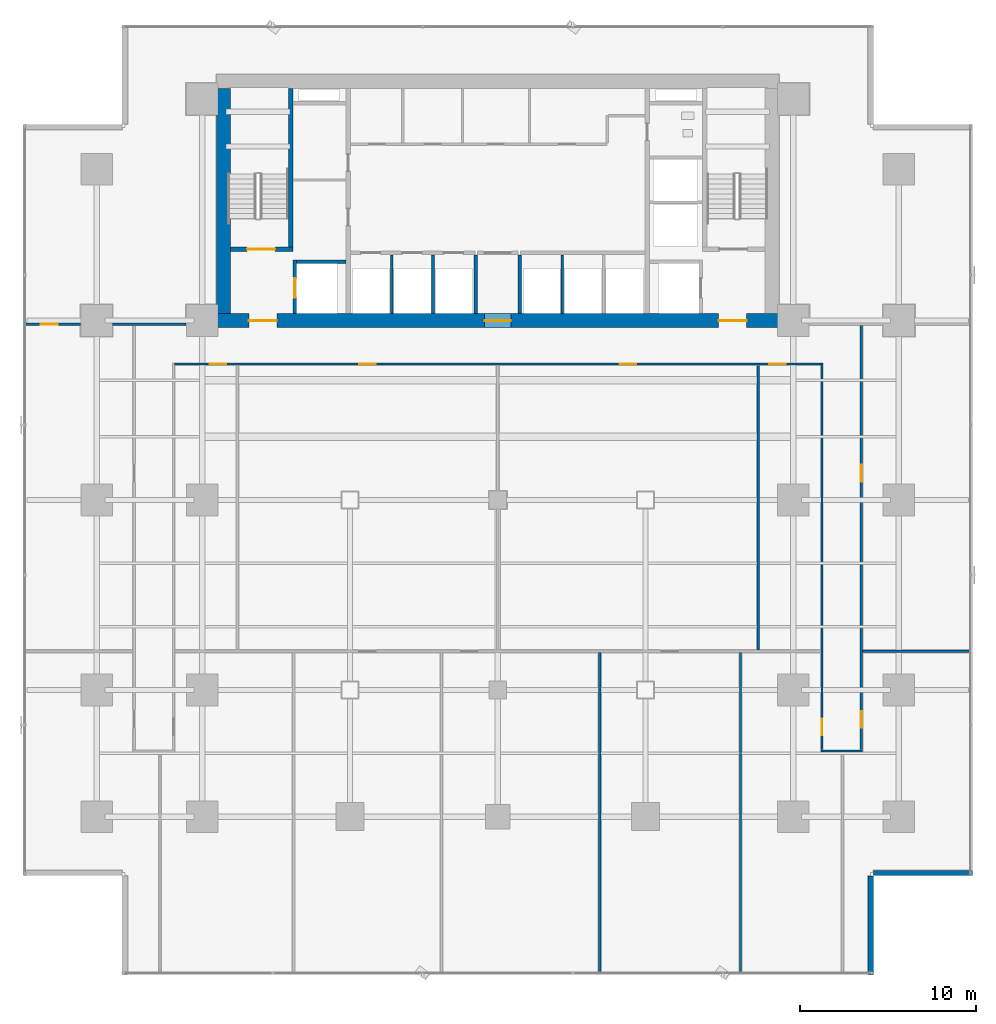
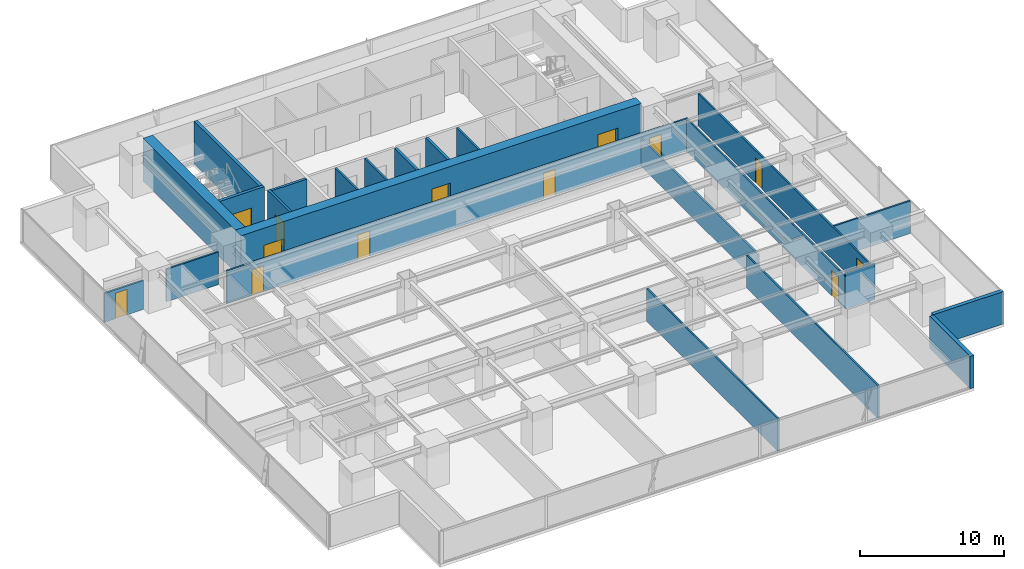
# One storey, part 25 of 34: 23 walls, 13 doors, 13 openings.
"""IFC4 building model written with IfcOpenShell, lengths in metres."""

from ifc_helpers import new_model, si_unit, direction, frame, frame_2d, origin, place, context, subcontext, project, spatial, rectangle, extrude, source, transform, mapped, material, layer, layer_set, type_object, element, fill, save


model = new_model("IFC4")

# Units and contexts
model_context = context("Model", 3, precision=1e-05, world=origin(), true_north=direction((0.0, 1.0)))
body_context = subcontext(model_context, "Body", "Model", "MODEL_VIEW")
ifc_project = project(units=[si_unit("LENGTHUNIT", "METRE"), si_unit("AREAUNIT", "SQUARE_METRE"), si_unit("VOLUMEUNIT", "CUBIC_METRE"), si_unit("PLANEANGLEUNIT", "RADIAN"), si_unit("MASSUNIT", "GRAM", prefix="KILO")], contexts=[model_context])

# Site, building, storey
site_placement = place(None, origin())
site = spatial("IfcSite", under=ifc_project, at=site_placement, CompositionType="ELEMENT")
building_placement = place(site_placement, origin())
building = spatial("IfcBuilding", under=site, at=building_placement, Name="Sumidabori Civic Tower", CompositionType="ELEMENT")
storey_placement = place(building_placement, frame((0.0, 0.0, 34.39990234375)))
storey = spatial("IfcBuildingStorey", under=building, at=storey_placement, Name="L08", CompositionType="ELEMENT", Elevation=34.39990234375)

# Wall, openings, doors
ifc_material_1 = material(Name="Concrete C60/75", Category="concrete")
ifc_layer_1 = layer(ifc_material_1, 0.800048828125, Name="Concrete C60/75")
ifc_layer_set_1 = layer_set([ifc_layer_1], Name="Concrete C60/75")
wall_type_1 = type_object("IfcWallType", Name="WL-CORE-800", PredefinedType="SHEAR", material=ifc_layer_set_1)
shared_shape_1 = source(origin(), body_context, "Body", "SweptSolid", [
    extrude(rectangle(XDim=32.0, YDim=0.800048828125, at=frame_2d((16.0, 0.0))), origin(), (0.0, 0.0, 1.0), 3.60009765625),
])
wall_1_placement = place(storey_placement, frame((-16.0, 10.199951171875, 0.0), z_axis=(0.0, 0.0, 1.0), x_axis=(1.0, 0.0, 0.0)))
wall_1 = element("IfcWall", 1, at=wall_1_placement, inside=storey, type_object=wall_type_1, Name="Core Shear Wall L08 S", PredefinedType="SHEAR", context=body_context, shape_type="MappedRepresentation", body=[
    mapped(shared_shape_1, transform((0.0, 0.0, 0.0), x_axis=(1.0, 0.0, 0.0), y_axis=(0.0, 1.0, 0.0), z_axis=(0.0, 0.0, 1.0), scale=1.0)),
])
opening_1_placement = place(wall_1_placement, frame((1.85009765625, 0.0, 0.0)))
opening_1 = element("IfcOpeningElement", 2, at=opening_1_placement, cuts=wall_1, Name="Opening DR-FD4", PredefinedType="OPENING", context=body_context, shape_type="SweptSolid", body=[
    extrude(rectangle(XDim=1.60009765625, YDim=2.14990234375, at=frame_2d((0.800048828125, 1.074951171875))), frame((0.0, 0.412109375, 0.0), z_axis=(0.0, -1.0, 0.0), x_axis=(1.0, 0.0, 0.0)), (0.0, 0.0, 1.0), 0.823974609375),
])
opening_2_placement = place(wall_1_placement, frame((28.550048828125, 0.0, 0.0)))
opening_2 = element("IfcOpeningElement", 3, at=opening_2_placement, cuts=wall_1, Name="Opening DR-FD4", PredefinedType="OPENING", context=body_context, shape_type="SweptSolid", body=[
    extrude(rectangle(XDim=1.60009765625, YDim=2.14990234375, at=frame_2d((0.800048828125, 1.074951171875))), frame((0.0, 0.412109375, 0.0), z_axis=(0.0, -1.0, 0.0), x_axis=(1.0, 0.0, 0.0)), (0.0, 0.0, 1.0), 0.823974609375),
])
opening_3_placement = place(wall_1_placement, frame((15.25, 0.0, 0.0)))
opening_3 = element("IfcOpeningElement", 4, at=opening_3_placement, cuts=wall_1, Name="Opening DR-FD3", PredefinedType="OPENING", context=body_context, shape_type="SweptSolid", body=[
    extrude(rectangle(XDim=1.5, YDim=2.199951171875, at=frame_2d((0.75, 1.10009765625))), frame((0.0, 0.412109375, 0.0), z_axis=(0.0, -1.0, 0.0), x_axis=(1.0, 0.0, 0.0)), (0.0, 0.0, 1.0), 0.823974609375),
])
ifc_material_2 = material(Name="Steel SN490", Category="steel")
door_type_1 = type_object("IfcDoorType", Name="DR-FD4", OperationType="DOUBLE_DOOR_SINGLE_SWING", PredefinedType="DOOR", material=ifc_material_2)
shared_shape_2 = source(origin(), body_context, "Body", "SweptSolid", [
    extrude(rectangle(XDim=1.60009765625, YDim=2.14990234375, at=frame_2d((0.800048828125, 1.074951171875))), frame((0.0, 0.02490234375, 0.0), z_axis=(0.0, -1.0, 0.0), x_axis=(1.0, 0.0, 0.0)), (0.0, 0.0, 1.0), 0.050048828125),
])
door_1_placement = place(opening_1_placement, origin())
door_1 = element("IfcDoor", 5, at=door_1_placement, inside=storey, type_object=door_type_1, Name="Door DR:L08:ELOB-W", OperationType="DOUBLE_DOOR_SINGLE_SWING", OverallHeight=2.14990234375, OverallWidth=1.60009765625, PredefinedType="DOOR", context=body_context, shape_type="MappedRepresentation", body=[
    mapped(shared_shape_2, transform((0.0, 0.0, 0.0), x_axis=(1.0, 0.0, 0.0), y_axis=(0.0, 1.0, 0.0), z_axis=(0.0, 0.0, 1.0), scale=1.0)),
])
fill(opening_1, door_1)
door_2_placement = place(opening_2_placement, origin())
door_2 = element("IfcDoor", 6, at=door_2_placement, inside=storey, type_object=door_type_1, Name="Door DR:L08:ELOB-E", OperationType="DOUBLE_DOOR_SINGLE_SWING", OverallHeight=2.14990234375, OverallWidth=1.60009765625, PredefinedType="DOOR", context=body_context, shape_type="MappedRepresentation", body=[
    mapped(shared_shape_2, transform((0.0, 0.0, 0.0), x_axis=(1.0, 0.0, 0.0), y_axis=(0.0, 1.0, 0.0), z_axis=(0.0, 0.0, 1.0), scale=1.0)),
])
fill(opening_2, door_2)
door_type_2 = type_object("IfcDoorType", Name="DR-FD-DBL", OperationType="DOUBLE_DOOR_SINGLE_SWING", PredefinedType="DOOR", material=ifc_material_2)
shared_shape_3 = source(origin(), body_context, "Body", "SweptSolid", [
    extrude(rectangle(XDim=1.5, YDim=2.199951171875, at=frame_2d((0.75, 1.10009765625))), frame((0.0, 0.02490234375, 0.0), z_axis=(0.0, -1.0, 0.0), x_axis=(1.0, 0.0, 0.0)), (0.0, 0.0, 1.0), 0.050048828125),
])
door_3_placement = place(opening_3_placement, origin())
door_3 = element("IfcDoor", 7, at=door_3_placement, inside=storey, type_object=door_type_2, Name="Door DR:L08:THROAT-OUT", OperationType="DOUBLE_DOOR_SINGLE_SWING", OverallHeight=2.199951171875, OverallWidth=1.5, PredefinedType="DOOR", context=body_context, shape_type="MappedRepresentation", body=[
    mapped(shared_shape_3, transform((0.0, 0.0, 0.0), x_axis=(1.0, 0.0, 0.0), y_axis=(0.0, 1.0, 0.0), z_axis=(0.0, 0.0, 1.0), scale=1.0)),
])
fill(opening_3, door_3)

# Wall
shared_shape_4 = source(origin(), body_context, "Body", "SweptSolid", [
    extrude(rectangle(XDim=12.7998046875, YDim=0.800048828125, at=frame_2d((6.39990234375, 0.0))), origin(), (0.0, 0.0, 1.0), 3.60009765625),
])
wall_2_placement = place(storey_placement, frame((-15.60009765625, 10.60009765625, 0.0), z_axis=(0.0, 0.0, 1.0), x_axis=(0.0, 1.0, 0.0)))
element("IfcWall", 8, at=wall_2_placement, inside=storey, type_object=wall_type_1, Name="Core Shear Wall L08 W", PredefinedType="SHEAR", context=body_context, shape_type="MappedRepresentation", body=[
    mapped(shared_shape_4, transform((0.0, 0.0, 0.0), x_axis=(1.0, 0.0, 0.0), y_axis=(0.0, 1.0, 0.0), z_axis=(0.0, 0.0, 1.0), scale=1.0)),
])

# Wall, opening, door
ifc_material_3 = material(Name="Concrete C50/60", Category="concrete")
ifc_layer_2 = layer(ifc_material_3, 0.25, Name="Concrete C50/60")
ifc_layer_set_2 = layer_set([ifc_layer_2], Name="Concrete C50/60")
wall_type_2 = type_object("IfcWallType", Name="WL-SHAFT-250", PredefinedType="SHEAR", material=ifc_layer_set_2)
shared_shape_5 = source(origin(), body_context, "Body", "SweptSolid", [
    extrude(rectangle(XDim=3.554931640625, YDim=0.25, at=frame_2d((1.77734375, 0.0))), origin(), (0.0, 0.0, 1.0), 3.60009765625),
])
wall_3_placement = place(storey_placement, frame((-15.199951171875, 14.25, 0.0), z_axis=(0.0, 0.0, 1.0), x_axis=(1.0, 0.0, 0.0)))
wall_3 = element("IfcWall", 9, at=wall_3_placement, inside=storey, type_object=wall_type_2, Name="Core Shear Wall L08 ST1-S", PredefinedType="SHEAR", context=body_context, shape_type="MappedRepresentation", body=[
    mapped(shared_shape_5, transform((0.0, 0.0, 0.0), x_axis=(1.0, 0.0, 0.0), y_axis=(0.0, 1.0, 0.0), z_axis=(0.0, 0.0, 1.0), scale=1.0)),
])
opening_4_placement = place(wall_3_placement, frame((0.949951171875, 0.0, 0.0)))
opening_4 = element("IfcOpeningElement", 10, at=opening_4_placement, cuts=wall_3, Name="Opening DR-FD4", PredefinedType="OPENING", context=body_context, shape_type="SweptSolid", body=[
    extrude(rectangle(XDim=1.60009765625, YDim=2.14990234375, at=frame_2d((0.800048828125, 1.074951171875))), frame((0.0, 0.136962890625, 0.0), z_axis=(0.0, -1.0, 0.0), x_axis=(1.0, 0.0, 0.0)), (0.0, 0.0, 1.0), 0.27392578125),
])
door_4_placement = place(opening_4_placement, origin())
door_4 = element("IfcDoor", 11, at=door_4_placement, inside=storey, type_object=door_type_1, Name="Door DR:L08:ST1", OperationType="DOUBLE_DOOR_SINGLE_SWING", OverallHeight=2.14990234375, OverallWidth=1.60009765625, PredefinedType="DOOR", context=body_context, shape_type="MappedRepresentation", body=[
    mapped(shared_shape_2, transform((0.0, 0.0, 0.0), x_axis=(1.0, 0.0, 0.0), y_axis=(0.0, 1.0, 0.0), z_axis=(0.0, 0.0, 1.0), scale=1.0)),
])
fill(opening_4, door_4)

# Wall
shared_shape_6 = source(origin(), body_context, "Body", "SweptSolid", [
    extrude(rectangle(XDim=9.02490234375, YDim=0.25, at=frame_2d((4.512451171875, 0.0))), origin(), (0.0, 0.0, 1.0), 3.60009765625),
])
wall_4_placement = place(storey_placement, frame((-11.77001953125, 14.375, 0.0), z_axis=(0.0, 0.0, 1.0), x_axis=(0.0, 1.0, 0.0)))
element("IfcWall", 12, at=wall_4_placement, inside=storey, type_object=wall_type_2, Name="Core Shear Wall L08 ST1-E", PredefinedType="SHEAR", context=body_context, shape_type="MappedRepresentation", body=[
    mapped(shared_shape_6, transform((0.0, 0.0, 0.0), x_axis=(1.0, 0.0, 0.0), y_axis=(0.0, 1.0, 0.0), z_axis=(0.0, 0.0, 1.0), scale=1.0)),
])

# Wall, opening, door
ifc_layer_3 = layer(ifc_material_3, 0.199951171875, Name="Concrete C50/60")
ifc_layer_set_3 = layer_set([ifc_layer_3], Name="Concrete C50/60")
wall_type_3 = type_object("IfcWallType", Name="WL-SHAFT-200", PredefinedType="SHEAR", material=ifc_layer_set_3)
shared_shape_7 = source(origin(), body_context, "Body", "SweptSolid", [
    extrude(rectangle(XDim=3.0498046875, YDim=0.199951171875, at=frame_2d((1.52490234375, 0.0))), origin(), (0.0, 0.0, 1.0), 3.60009765625),
])
wall_5_placement = place(storey_placement, frame((-11.550048828125, 10.60009765625, 0.0), z_axis=(0.0, 0.0, 1.0), x_axis=(0.0, 1.0, 0.0)))
wall_5 = element("IfcWall", 13, at=wall_5_placement, inside=storey, type_object=wall_type_3, Name="Core Shear Wall L08 EL1-W", PredefinedType="SHEAR", context=body_context, shape_type="MappedRepresentation", body=[
    mapped(shared_shape_7, transform((0.0, 0.0, 0.0), x_axis=(1.0, 0.0, 0.0), y_axis=(0.0, 1.0, 0.0), z_axis=(0.0, 0.0, 1.0), scale=1.0)),
])
opening_5_placement = place(wall_5_placement, frame((0.89990234375, 0.0, 0.0)))
opening_5 = element("IfcOpeningElement", 14, at=opening_5_placement, cuts=wall_5, Name="Opening LD-2", PredefinedType="OPENING", context=body_context, shape_type="SweptSolid", body=[
    extrude(rectangle(XDim=1.10009765625, YDim=2.14990234375, at=frame_2d((0.550048828125, 1.074951171875))), frame((0.0, 0.11181640625, 0.0), z_axis=(0.0, -1.0, 0.0), x_axis=(1.0, 0.0, 0.0)), (0.0, 0.0, 1.0), 0.223876953125),
])
ifc_material_4 = material(Name="Stainless Steel Hairline Finish", Category="steel")
door_type_3 = type_object("IfcDoorType", Name="DR-LD2", OperationType="DOUBLE_DOOR_SLIDING", PredefinedType="DOOR", material=ifc_material_4)
shared_shape_8 = source(origin(), body_context, "Body", "SweptSolid", [
    extrude(rectangle(XDim=1.10009765625, YDim=2.14990234375, at=frame_2d((0.550048828125, 1.074951171875))), frame((0.0, 0.02490234375, 0.0), z_axis=(0.0, -1.0, 0.0), x_axis=(1.0, 0.0, 0.0)), (0.0, 0.0, 1.0), 0.050048828125),
])
door_5_placement = place(opening_5_placement, origin())
door_5 = element("IfcDoor", 15, at=door_5_placement, inside=storey, type_object=door_type_3, Name="Door DR:L08:LD-EL1", OperationType="DOUBLE_DOOR_SLIDING", OverallHeight=2.14990234375, OverallWidth=1.10009765625, PredefinedType="DOOR", context=body_context, shape_type="MappedRepresentation", body=[
    mapped(shared_shape_8, transform((0.0, 0.0, 0.0), x_axis=(1.0, 0.0, 0.0), y_axis=(0.0, 1.0, 0.0), z_axis=(0.0, 0.0, 1.0), scale=1.0)),
])
fill(opening_5, door_5)

# Walls
shared_shape_9 = source(origin(), body_context, "Body", "SweptSolid", [
    extrude(rectangle(XDim=2.824951171875, YDim=0.199951171875, at=frame_2d((1.41259765625, 0.0))), origin(), (0.0, 0.0, 1.0), 3.60009765625),
])
wall_6_placement = place(storey_placement, frame((-11.449951171875, 13.550048828125, 0.0), z_axis=(0.0, 0.0, 1.0), x_axis=(1.0, 0.0, 0.0)))
element("IfcWall", 16, at=wall_6_placement, inside=storey, type_object=wall_type_3, Name="Core Shear Wall L08 EL1-N", PredefinedType="SHEAR", context=body_context, shape_type="MappedRepresentation", body=[
    mapped(shared_shape_9, transform((0.0, 0.0, 0.0), x_axis=(1.0, 0.0, 0.0), y_axis=(0.0, 1.0, 0.0), z_axis=(0.0, 0.0, 1.0), scale=1.0)),
])
ifc_material_5 = material(Name="Precast concrete C40/50", Category="concrete")
ifc_layer_4 = layer(ifc_material_5, 0.300048828125, Name="Precast concrete C40/50")
ifc_layer_set_4 = layer_set([ifc_layer_4], Name="Precast concrete C40/50")
wall_type_4 = type_object("IfcWallType", Name="WL-EXT-POD300", PredefinedType="STANDARD", material=ifc_layer_set_4)
shared_shape_10 = source(origin(), body_context, "Body", "SweptSolid", [
    extrude(rectangle(XDim=5.60986328125, YDim=0.300048828125, at=frame_2d((2.804931640625, 0.0))), origin(), (0.0, 0.0, 1.0), 2.739990234375),
])
for number, where, z_axis, x_axis, name in (
    (17, (21.199951171875, -26.97998046875, 0.0), (0.0, 0.0, 1.0), (0.0, 1.0, 0.0), "Notched Corner Spandrel Band L08-02"),
    (18, (21.3701171875, -21.199951171875, 0.0), (0.0, 0.0, 1.0), (1.0, 0.0, 0.0), "Notched Corner Spandrel Band L08-03"),
):
    element("IfcWall", number, at=place(storey_placement, frame(where, z_axis=z_axis, x_axis=x_axis)), inside=storey, type_object=wall_type_4, Name=name, PredefinedType="STANDARD", context=body_context, shape_type="MappedRepresentation", body=[
        mapped(shared_shape_10, transform((0.0, 0.0, 0.0), x_axis=(1.0, 0.0, 0.0), y_axis=(0.0, 1.0, 0.0), z_axis=(0.0, 0.0, 1.0), scale=1.0)),
    ])
ifc_material_6 = material(Name="Gypsum Plasterboard Fire Partition")
ifc_layer_5 = layer(ifc_material_6, 0.199951171875, Name="Gypsum Plasterboard Fire Partition")
ifc_layer_set_5 = layer_set([ifc_layer_5], Name="Gypsum Plasterboard Fire Partition")
wall_type_5 = type_object("IfcWallType", Name="WL-PART-FIRE", PredefinedType="PARTITIONING", material=ifc_layer_set_5)
shared_shape_11 = source(origin(), body_context, "Body", "SweptSolid", [
    extrude(rectangle(XDim=3.33984375, YDim=0.199951171875, at=frame_2d((1.669921875, 0.0))), origin(), (0.0, 0.0, 1.0), 3.360107421875),
])
for number, where, z_axis, x_axis, name in (
    (19, (-1.25, 10.60009765625, 0.0), (0.0, 0.0, 1.0), (0.0, 1.0, 0.0), "Interior Partition WL:L08:THROAT-W"),
    (20, (1.25, 10.60009765625, 0.0), (0.0, 0.0, 1.0), (0.0, 1.0, 0.0), "Interior Partition WL:L08:THROAT-E"),
):
    element("IfcWall", number, at=place(storey_placement, frame(where, z_axis=z_axis, x_axis=x_axis)), inside=storey, type_object=wall_type_5, Name=name, PredefinedType="PARTITIONING", context=body_context, shape_type="MappedRepresentation", body=[
        mapped(shared_shape_11, transform((0.0, 0.0, 0.0), x_axis=(1.0, 0.0, 0.0), y_axis=(0.0, 1.0, 0.0), z_axis=(0.0, 0.0, 1.0), scale=1.0)),
    ])
ifc_material_7 = material(Name="Gypsum Plasterboard Acoustic Partition")
ifc_layer_6 = layer(ifc_material_7, 0.14990234375, Name="Gypsum Plasterboard Acoustic Partition")
ifc_layer_set_6 = layer_set([ifc_layer_6], Name="Gypsum Plasterboard Acoustic Partition")
wall_type_6 = type_object("IfcWallType", Name="WL-PART-150", PredefinedType="PARTITIONING", material=ifc_layer_set_6)
shared_shape_12 = source(origin(), body_context, "Body", "SweptSolid", [
    extrude(rectangle(XDim=3.33984375, YDim=0.14990234375, at=frame_2d((1.669921875, 0.0))), origin(), (0.0, 0.0, 1.0), 3.360107421875),
])
for number, where, z_axis, x_axis, name in (
    (21, (-6.030029296875, 10.60009765625, 0.0), (0.0, 0.0, 1.0), (0.0, 1.0, 0.0), "Interior Partition WL:L08:DIV-PLL1"),
    (22, (-3.679931640625, 10.60009765625, 0.0), (0.0, 0.0, 1.0), (0.0, 1.0, 0.0), "Interior Partition WL:L08:DIV-PLL2"),
    (23, (3.669921875, 10.60009765625, 0.0), (0.0, 0.0, 1.0), (0.0, 1.0, 0.0), "Interior Partition WL:L08:DIV-PLM1"),
):
    element("IfcWall", number, at=place(storey_placement, frame(where, z_axis=z_axis, x_axis=x_axis)), inside=storey, type_object=wall_type_6, Name=name, PredefinedType="PARTITIONING", context=body_context, shape_type="MappedRepresentation", body=[
        mapped(shared_shape_12, transform((0.0, 0.0, 0.0), x_axis=(1.0, 0.0, 0.0), y_axis=(0.0, 1.0, 0.0), z_axis=(0.0, 0.0, 1.0), scale=1.0)),
    ])

# Wall, opening, door
ifc_layer_7 = layer(ifc_material_7, 0.135009765625, Name="Gypsum Plasterboard Acoustic Partition")
ifc_layer_set_7 = layer_set([ifc_layer_7], Name="Gypsum Plasterboard Acoustic Partition")
wall_type_7 = type_object("IfcWallType", Name="WL-PART-135", PredefinedType="PARTITIONING", material=ifc_layer_set_7)
shared_shape_13 = source(origin(), body_context, "Body", "SweptSolid", [
    extrude(rectangle(XDim=3.14013671875, YDim=0.135009765625, at=frame_2d((1.570068359375, 0.0))), origin(), (0.0, 0.0, 1.0), 2.43505859375),
])
wall_7_placement = place(storey_placement, frame((-26.85009765625, 10.0, 0.0), z_axis=(0.0, 0.0, 1.0), x_axis=(1.0, 0.0, 0.0)))
wall_7 = element("IfcWall", 24, at=wall_7_placement, inside=storey, type_object=wall_type_7, Name="Interior Partition WL:L08:FLK-NW-1", PredefinedType="PARTITIONING", context=body_context, shape_type="MappedRepresentation", body=[
    mapped(shared_shape_13, transform((0.0, 0.0, 0.0), x_axis=(1.0, 0.0, 0.0), y_axis=(0.0, 1.0, 0.0), z_axis=(0.0, 0.0, 1.0), scale=1.0)),
])
opening_6_placement = place(wall_7_placement, frame((0.875, 0.0, 0.0)))
opening_6 = element("IfcOpeningElement", 25, at=opening_6_placement, cuts=wall_7, Name="Opening DR-2", PredefinedType="OPENING", context=body_context, shape_type="SweptSolid", body=[
    extrude(rectangle(XDim=0.949951171875, YDim=2.14990234375, at=frame_2d((0.47509765625, 1.074951171875))), frame((0.0, 0.07958984375, 0.0), z_axis=(0.0, -1.0, 0.0), x_axis=(1.0, 0.0, 0.0)), (0.0, 0.0, 1.0), 0.158935546875),
])
ifc_material_8 = material(Name="Japanese Hinoki Timber", Category="wood")
door_type_4 = type_object("IfcDoorType", Name="DR-INT-950", OperationType="NOTDEFINED", PredefinedType="DOOR", material=ifc_material_8)
shared_shape_14 = source(origin(), body_context, "Body", "SweptSolid", [
    extrude(rectangle(XDim=0.949951171875, YDim=2.14990234375, at=frame_2d((0.47509765625, 1.074951171875))), frame((0.0, 0.02490234375, 0.0), z_axis=(0.0, -1.0, 0.0), x_axis=(1.0, 0.0, 0.0)), (0.0, 0.0, 1.0), 0.050048828125),
])
door_6_placement = place(opening_6_placement, origin())
door_6 = element("IfcDoor", 26, at=door_6_placement, inside=storey, type_object=door_type_4, Name="Door DR:L08:D11", OperationType="SINGLE_SWING_LEFT", OverallHeight=2.14990234375, OverallWidth=0.949951171875, PredefinedType="DOOR", context=body_context, shape_type="MappedRepresentation", body=[
    mapped(shared_shape_14, transform((0.0, 0.0, 0.0), x_axis=(1.0, 0.0, 0.0), y_axis=(0.0, 1.0, 0.0), z_axis=(0.0, 0.0, 1.0), scale=1.0)),
])
fill(opening_6, door_6)

# Wall
shared_shape_15 = source(origin(), body_context, "Body", "SweptSolid", [
    extrude(rectangle(XDim=4.179931640625, YDim=0.135009765625, at=frame_2d((2.08984375, 0.0))), origin(), (0.0, 0.0, 1.0), 2.7451171875),
])
wall_8_placement = place(storey_placement, frame((-21.889892578125, 10.0, 0.0), z_axis=(0.0, 0.0, 1.0), x_axis=(1.0, 0.0, 0.0)))
element("IfcWall", 27, at=wall_8_placement, inside=storey, type_object=wall_type_7, Name="Interior Partition WL:L08:FLK-NW-2", PredefinedType="PARTITIONING", context=body_context, shape_type="MappedRepresentation", body=[
    mapped(shared_shape_15, transform((0.0, 0.0, 0.0), x_axis=(1.0, 0.0, 0.0), y_axis=(0.0, 1.0, 0.0), z_axis=(0.0, 0.0, 1.0), scale=1.0)),
])

# Wall, openings, doors
shared_shape_16 = source(origin(), body_context, "Body", "SweptSolid", [
    extrude(rectangle(XDim=36.72998046875, YDim=0.135009765625, at=frame_2d((18.364990234375, 0.0))), origin(), (0.0, 0.0, 1.0), 2.7451171875),
])
wall_9_placement = place(storey_placement, frame((-18.364990234375, 7.732421875, 0.0), z_axis=(0.0, 0.0, 1.0), x_axis=(1.0, 0.0, 0.0)))
wall_9 = element("IfcWall", 28, at=wall_9_placement, inside=storey, type_object=wall_type_7, Name="Interior Partition WL:L08:CORR-S", PredefinedType="PARTITIONING", context=body_context, shape_type="MappedRepresentation", body=[
    mapped(shared_shape_16, transform((0.0, 0.0, 0.0), x_axis=(1.0, 0.0, 0.0), y_axis=(0.0, 1.0, 0.0), z_axis=(0.0, 0.0, 1.0), scale=1.0)),
])
opening_7_placement = place(wall_9_placement, frame((10.489990234375, 0.0, 0.0)))
opening_7 = element("IfcOpeningElement", 29, at=opening_7_placement, cuts=wall_9, Name="Opening DR-2", PredefinedType="OPENING", context=body_context, shape_type="SweptSolid", body=[
    extrude(rectangle(XDim=0.949951171875, YDim=2.14990234375, at=frame_2d((0.47509765625, 1.074951171875))), frame((0.0, 0.07958984375, 0.0), z_axis=(0.0, -1.0, 0.0), x_axis=(1.0, 0.0, 0.0)), (0.0, 0.0, 1.0), 0.158935546875),
])
opening_8_placement = place(wall_9_placement, frame((25.2900390625, 0.0, 0.0)))
opening_8 = element("IfcOpeningElement", 30, at=opening_8_placement, cuts=wall_9, Name="Opening DR-2", PredefinedType="OPENING", context=body_context, shape_type="SweptSolid", body=[
    extrude(rectangle(XDim=0.949951171875, YDim=2.14990234375, at=frame_2d((0.47509765625, 1.074951171875))), frame((0.0, 0.07958984375, 0.0), z_axis=(0.0, -1.0, 0.0), x_axis=(1.0, 0.0, 0.0)), (0.0, 0.0, 1.0), 0.158935546875),
])
opening_9_placement = place(wall_9_placement, frame((1.99365234375, 0.0, 0.0)))
opening_9 = element("IfcOpeningElement", 31, at=opening_9_placement, cuts=wall_9, Name="Opening DR-2", PredefinedType="OPENING", context=body_context, shape_type="SweptSolid", body=[
    extrude(rectangle(XDim=0.949951171875, YDim=2.14990234375, at=frame_2d((0.47509765625, 1.074951171875))), frame((0.0, 0.07958984375, 0.0), z_axis=(0.0, -1.0, 0.0), x_axis=(1.0, 0.0, 0.0)), (0.0, 0.0, 1.0), 0.158935546875),
])
opening_10_placement = place(wall_9_placement, frame((33.7861328125, 0.0, 0.0)))
opening_10 = element("IfcOpeningElement", 32, at=opening_10_placement, cuts=wall_9, Name="Opening DR-2", PredefinedType="OPENING", context=body_context, shape_type="SweptSolid", body=[
    extrude(rectangle(XDim=0.949951171875, YDim=2.14990234375, at=frame_2d((0.47509765625, 1.074951171875))), frame((0.0, 0.07958984375, 0.0), z_axis=(0.0, -1.0, 0.0), x_axis=(1.0, 0.0, 0.0)), (0.0, 0.0, 1.0), 0.158935546875),
])
door_7_placement = place(opening_7_placement, origin())
door_7 = element("IfcDoor", 33, at=door_7_placement, inside=storey, type_object=door_type_4, Name="Door DR:L08:D03", OperationType="SINGLE_SWING_LEFT", OverallHeight=2.14990234375, OverallWidth=0.949951171875, PredefinedType="DOOR", context=body_context, shape_type="MappedRepresentation", body=[
    mapped(shared_shape_14, transform((0.0, 0.0, 0.0), x_axis=(1.0, 0.0, 0.0), y_axis=(0.0, 1.0, 0.0), z_axis=(0.0, 0.0, 1.0), scale=1.0)),
])
fill(opening_7, door_7)
door_8_placement = place(opening_8_placement, origin())
door_8 = element("IfcDoor", 34, at=door_8_placement, inside=storey, type_object=door_type_4, Name="Door DR:L08:D04", OperationType="SINGLE_SWING_RIGHT", OverallHeight=2.14990234375, OverallWidth=0.949951171875, PredefinedType="DOOR", context=body_context, shape_type="MappedRepresentation", body=[
    mapped(shared_shape_14, transform((0.0, 0.0, 0.0), x_axis=(1.0, 0.0, 0.0), y_axis=(0.0, 1.0, 0.0), z_axis=(0.0, 0.0, 1.0), scale=1.0)),
])
fill(opening_8, door_8)
door_9_placement = place(opening_9_placement, origin())
door_9 = element("IfcDoor", 35, at=door_9_placement, inside=storey, type_object=door_type_4, Name="Door DR:L08:D05", OperationType="SINGLE_SWING_LEFT", OverallHeight=2.14990234375, OverallWidth=0.949951171875, PredefinedType="DOOR", context=body_context, shape_type="MappedRepresentation", body=[
    mapped(shared_shape_14, transform((0.0, 0.0, 0.0), x_axis=(1.0, 0.0, 0.0), y_axis=(0.0, 1.0, 0.0), z_axis=(0.0, 0.0, 1.0), scale=1.0)),
])
fill(opening_9, door_9)
door_10_placement = place(opening_10_placement, origin())
door_10 = element("IfcDoor", 36, at=door_10_placement, inside=storey, type_object=door_type_4, Name="Door DR:L08:D06", OperationType="SINGLE_SWING_RIGHT", OverallHeight=2.14990234375, OverallWidth=0.949951171875, PredefinedType="DOOR", context=body_context, shape_type="MappedRepresentation", body=[
    mapped(shared_shape_14, transform((0.0, 0.0, 0.0), x_axis=(1.0, 0.0, 0.0), y_axis=(0.0, 1.0, 0.0), z_axis=(0.0, 0.0, 1.0), scale=1.0)),
])
fill(opening_10, door_10)

# Wall
shared_shape_17 = source(origin(), body_context, "Body", "SweptSolid", [
    extrude(rectangle(XDim=2.3701171875, YDim=0.135009765625, at=frame_2d((1.18505859375, 0.0))), origin(), (0.0, 0.0, 1.0), 3.045166015625),
])
wall_10_placement = place(storey_placement, frame((18.364990234375, -14.267578125, 0.0), z_axis=(0.0, 0.0, 1.0), x_axis=(1.0, 0.0, 0.0)))
element("IfcWall", 37, at=wall_10_placement, inside=storey, type_object=wall_type_7, Name="Interior Partition WL:L08:CORR-CAP-E", PredefinedType="PARTITIONING", context=body_context, shape_type="MappedRepresentation", body=[
    mapped(shared_shape_17, transform((0.0, 0.0, 0.0), x_axis=(1.0, 0.0, 0.0), y_axis=(0.0, 1.0, 0.0), z_axis=(0.0, 0.0, 1.0), scale=1.0)),
])

# Wall, openings, doors
shared_shape_18 = source(origin(), body_context, "Body", "SweptSolid", [
    extrude(rectangle(XDim=24.12255859375, YDim=0.135009765625, at=frame_2d((12.061279296875, 0.0))), origin(), (0.0, 0.0, 1.0), 2.7451171875),
])
wall_11_placement = place(storey_placement, frame((20.66748046875, -14.195068359375, 0.0), z_axis=(0.0, 0.0, 1.0), x_axis=(0.0, 1.0, 0.0)))
wall_11 = element("IfcWall", 38, at=wall_11_placement, inside=storey, type_object=wall_type_7, Name="Interior Partition WL:L08:CORR-VE-OUT", PredefinedType="PARTITIONING", context=body_context, shape_type="MappedRepresentation", body=[
    mapped(shared_shape_18, transform((0.0, 0.0, 0.0), x_axis=(1.0, 0.0, 0.0), y_axis=(0.0, 1.0, 0.0), z_axis=(0.0, 0.0, 1.0), scale=1.0)),
])
opening_11_placement = place(wall_11_placement, frame((15.237548828125, 0.0, 0.0)))
opening_11 = element("IfcOpeningElement", 39, at=opening_11_placement, cuts=wall_11, Name="Opening DR-2", PredefinedType="OPENING", context=body_context, shape_type="SweptSolid", body=[
    extrude(rectangle(XDim=0.949951171875, YDim=2.14990234375, at=frame_2d((0.47509765625, 1.074951171875))), frame((0.0, 0.07958984375, 0.0), z_axis=(0.0, -1.0, 0.0), x_axis=(1.0, 0.0, 0.0)), (0.0, 0.0, 1.0), 0.158935546875),
])
opening_12_placement = place(wall_11_placement, frame((1.248779296875, 0.0, 0.0)))
opening_12 = element("IfcOpeningElement", 40, at=opening_12_placement, cuts=wall_11, Name="Opening DR-2", PredefinedType="OPENING", context=body_context, shape_type="SweptSolid", body=[
    extrude(rectangle(XDim=0.949951171875, YDim=2.14990234375, at=frame_2d((0.47509765625, 1.074951171875))), frame((0.0, 0.07958984375, 0.0), z_axis=(0.0, -1.0, 0.0), x_axis=(1.0, 0.0, 0.0)), (0.0, 0.0, 1.0), 0.158935546875),
])
door_11_placement = place(opening_11_placement, origin())
door_11 = element("IfcDoor", 41, at=door_11_placement, inside=storey, type_object=door_type_4, Name="Door DR:L08:D02", OperationType="SINGLE_SWING_RIGHT", OverallHeight=2.14990234375, OverallWidth=0.949951171875, PredefinedType="DOOR", context=body_context, shape_type="MappedRepresentation", body=[
    mapped(shared_shape_14, transform((0.0, 0.0, 0.0), x_axis=(1.0, 0.0, 0.0), y_axis=(0.0, 1.0, 0.0), z_axis=(0.0, 0.0, 1.0), scale=1.0)),
])
fill(opening_11, door_11)
door_12_placement = place(opening_12_placement, origin())
door_12 = element("IfcDoor", 42, at=door_12_placement, inside=storey, type_object=door_type_4, Name="Door DR:L08:D07", OperationType="SINGLE_SWING_LEFT", OverallHeight=2.14990234375, OverallWidth=0.949951171875, PredefinedType="DOOR", context=body_context, shape_type="MappedRepresentation", body=[
    mapped(shared_shape_14, transform((0.0, 0.0, 0.0), x_axis=(1.0, 0.0, 0.0), y_axis=(0.0, 1.0, 0.0), z_axis=(0.0, 0.0, 1.0), scale=1.0)),
])
fill(opening_12, door_12)

# Wall, opening, door
shared_shape_19 = source(origin(), body_context, "Body", "SweptSolid", [
    extrude(rectangle(XDim=21.9951171875, YDim=0.135009765625, at=frame_2d((10.99755859375, 0.0))), origin(), (0.0, 0.0, 1.0), 2.7451171875),
])
wall_12_placement = place(storey_placement, frame((18.4326171875, -14.195068359375, 0.0), z_axis=(0.0, 0.0, 1.0), x_axis=(0.0, 1.0, 0.0)))
wall_12 = element("IfcWall", 43, at=wall_12_placement, inside=storey, type_object=wall_type_7, Name="Interior Partition WL:L08:CORR-VE-IN", PredefinedType="PARTITIONING", context=body_context, shape_type="MappedRepresentation", body=[
    mapped(shared_shape_19, transform((0.0, 0.0, 0.0), x_axis=(1.0, 0.0, 0.0), y_axis=(0.0, 1.0, 0.0), z_axis=(0.0, 0.0, 1.0), scale=1.0)),
])
opening_13_placement = place(wall_12_placement, frame((0.80859375, 0.0, 0.0)))
opening_13 = element("IfcOpeningElement", 44, at=opening_13_placement, cuts=wall_12, Name="Opening DR-2", PredefinedType="OPENING", context=body_context, shape_type="SweptSolid", body=[
    extrude(rectangle(XDim=0.949951171875, YDim=2.14990234375, at=frame_2d((0.47509765625, 1.074951171875))), frame((0.0, 0.07958984375, 0.0), z_axis=(0.0, -1.0, 0.0), x_axis=(1.0, 0.0, 0.0)), (0.0, 0.0, 1.0), 0.158935546875),
])
door_13_placement = place(opening_13_placement, origin())
door_13 = element("IfcDoor", 45, at=door_13_placement, inside=storey, type_object=door_type_4, Name="Door DR:L08:D10", OperationType="SINGLE_SWING_RIGHT", OverallHeight=2.14990234375, OverallWidth=0.949951171875, PredefinedType="DOOR", context=body_context, shape_type="MappedRepresentation", body=[
    mapped(shared_shape_14, transform((0.0, 0.0, 0.0), x_axis=(1.0, 0.0, 0.0), y_axis=(0.0, 1.0, 0.0), z_axis=(0.0, 0.0, 1.0), scale=1.0)),
])
fill(opening_13, door_13)

# Walls
shared_shape_20 = source(origin(), body_context, "Body", "SweptSolid", [
    extrude(rectangle(XDim=6.110107421875, YDim=0.135009765625, at=frame_2d((3.05517578125, 0.0))), origin(), (0.0, 0.0, 1.0), 2.7451171875),
])
wall_13_placement = place(storey_placement, frame((20.739990234375, -8.60009765625, 0.0), z_axis=(0.0, 0.0, 1.0), x_axis=(1.0, 0.0, 0.0)))
element("IfcWall", 46, at=wall_13_placement, inside=storey, type_object=wall_type_7, Name="Interior Partition WL:L08:BAND-Y-3", PredefinedType="PARTITIONING", context=body_context, shape_type="MappedRepresentation", body=[
    mapped(shared_shape_20, transform((0.0, 0.0, 0.0), x_axis=(1.0, 0.0, 0.0), y_axis=(0.0, 1.0, 0.0), z_axis=(0.0, 0.0, 1.0), scale=1.0)),
])
shared_shape_21 = source(origin(), body_context, "Body", "SweptSolid", [
    extrude(rectangle(XDim=16.1875, YDim=0.135009765625, at=frame_2d((8.09375, 0.0))), origin(), (0.0, 0.0, 1.0), 2.3701171875),
])
wall_14_placement = place(storey_placement, frame((14.800048828125, -8.527587890625, 0.0), z_axis=(0.0, 0.0, 1.0), x_axis=(0.0, 1.0, 0.0)))
element("IfcWall", 47, at=wall_14_placement, inside=storey, type_object=wall_type_7, Name="Interior Partition WL:L08:VX-N3", PredefinedType="PARTITIONING", context=body_context, shape_type="MappedRepresentation", body=[
    mapped(shared_shape_21, transform((0.0, 0.0, 0.0), x_axis=(1.0, 0.0, 0.0), y_axis=(0.0, 1.0, 0.0), z_axis=(0.0, 0.0, 1.0), scale=1.0)),
])
shared_shape_22 = source(origin(), body_context, "Body", "SweptSolid", [
    extrude(rectangle(XDim=18.177490234375, YDim=0.135009765625, at=frame_2d((9.0888671875, 0.0))), origin(), (0.0, 0.0, 1.0), 2.7451171875),
])
for number, where, z_axis, x_axis, name in (
    (48, (5.800048828125, -26.85009765625, 0.0), (0.0, 0.0, 1.0), (0.0, 1.0, 0.0), "Interior Partition WL:L08:VX-S4"),
    (49, (13.800048828125, -26.85009765625, 0.0), (0.0, 0.0, 1.0), (0.0, 1.0, 0.0), "Interior Partition WL:L08:VX-S5"),
):
    element("IfcWall", number, at=place(storey_placement, frame(where, z_axis=z_axis, x_axis=x_axis)), inside=storey, type_object=wall_type_7, Name=name, PredefinedType="PARTITIONING", context=body_context, shape_type="MappedRepresentation", body=[
        mapped(shared_shape_22, transform((0.0, 0.0, 0.0), x_axis=(1.0, 0.0, 0.0), y_axis=(0.0, 1.0, 0.0), z_axis=(0.0, 0.0, 1.0), scale=1.0)),
    ])

save(model, "model.ifc")
